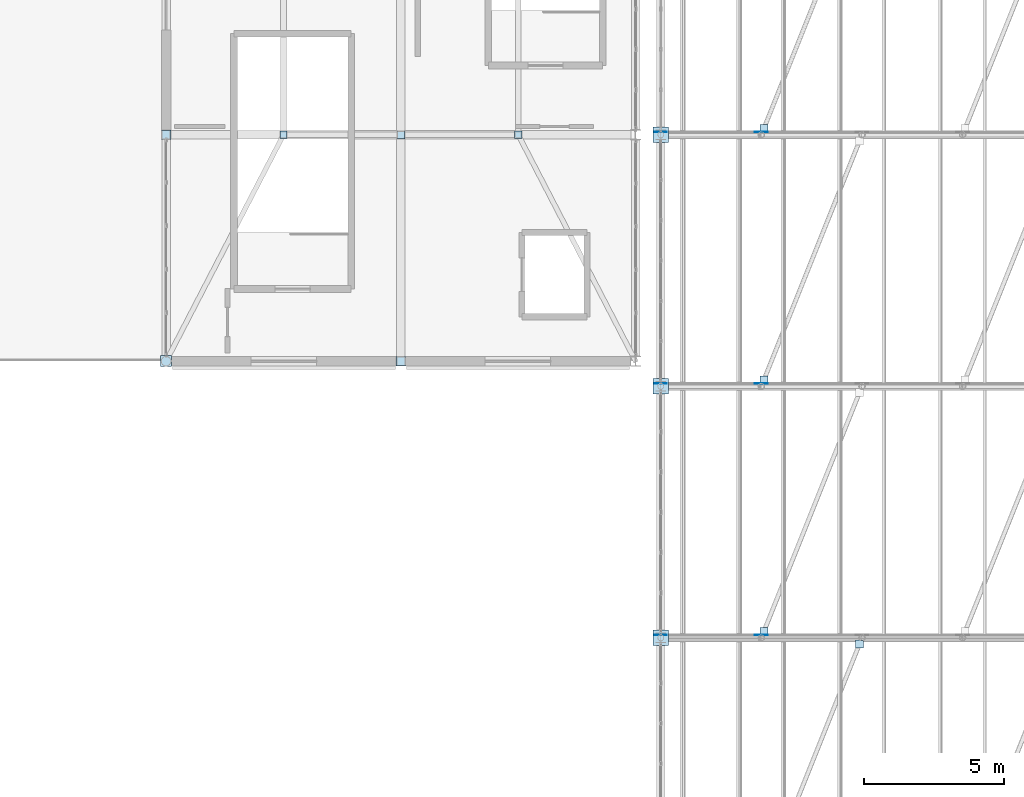
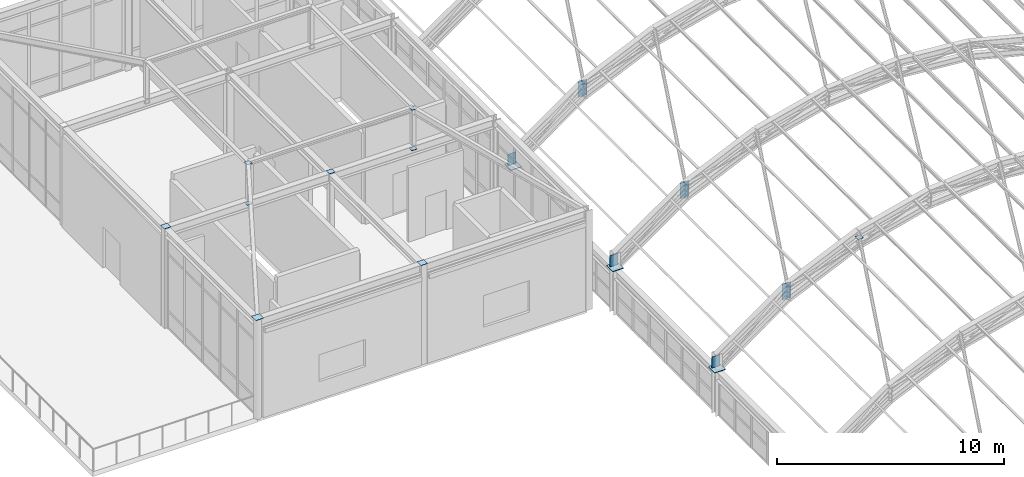
# One storey, part 111 of 121: 21 plates.
"""IFC4 building model written with IfcOpenShell, lengths in metres."""

from ifc_helpers import new_model, si_unit, direction, frame, origin, origin_2d, place, context, subcontext, project, spatial, rectangle, extrude, material, layer, layer_set, type_object, element, save


model = new_model("IFC4")

# Units and contexts
model_context = context("Model", 3, precision=1e-05, world=origin(), true_north=direction((0.0, 1.0)))
body_context = subcontext(model_context, "Body", "Model", "MODEL_VIEW")
ifc_project = project(units=[si_unit("LENGTHUNIT", "METRE"), si_unit("AREAUNIT", "SQUARE_METRE"), si_unit("VOLUMEUNIT", "CUBIC_METRE"), si_unit("PLANEANGLEUNIT", "RADIAN"), si_unit("MASSUNIT", "GRAM", prefix="KILO")], contexts=[model_context])

# Site, building, storey
site_placement = place(None, origin())
site = spatial("IfcSite", under=ifc_project, at=site_placement, CompositionType="ELEMENT")
building_placement = place(site_placement, origin())
building = spatial("IfcBuilding", under=site, at=building_placement, Name="Canglan Escarpment Cableway Terminal", CompositionType="ELEMENT")
storey_placement = place(building_placement, frame((0.0, 0.0, 24.60009765625)))
storey = spatial("IfcBuildingStorey", under=building, at=storey_placement, Name="L05", CompositionType="ELEMENT", Elevation=24.60009765625)

# Plates
ifc_material = material(Name="Steel Q355B", Category="steel")
ifc_layer_1 = layer(ifc_material, 0.031982421875, Name="Steel Q355B")
ifc_layer_set_1 = layer_set([ifc_layer_1], Name="Steel Q355B")
plate_type_1 = type_object("IfcPlateType", Name="PLT-BASE-32", PredefinedType="USERDEFINED", material=ifc_layer_set_1)
for number, where, z_axis, x_axis, name in (
    (1, (137.60009765625, 79.0, 2.4326171875), (0.0, 0.0, 1.0), (1.0, 0.0, 0.0), "Arch springing base plate BP-01"),
    (2, (137.60009765625, 88.0, 2.4326171875), (0.0, 0.0, 1.0), (1.0, 0.0, 0.0), "Arch springing base plate BP-01"),
    (3, (137.60009765625, 97.0, 2.4326171875), (0.0, 0.0, 1.0), (1.0, 0.0, 0.0), "Arch springing base plate BP-01"),
):
    element("IfcPlate", number, at=place(storey_placement, frame(where, z_axis=z_axis, x_axis=x_axis)), inside=storey, type_object=plate_type_1, Name=name, ObjectType="BASE PLATE", PredefinedType="USERDEFINED", context=body_context, shape_type="SweptSolid", body=[
        extrude(rectangle(XDim=0.56005859375, YDim=0.56005859375, at=origin_2d()), origin(), (0.0, 0.0, 1.0), 0.031982421875),
    ])
ifc_layer_2 = layer(ifc_material, 0.01611328125, Name="Steel Q355B")
ifc_layer_set_2 = layer_set([ifc_layer_2], Name="Steel Q355B")
plate_type_2 = type_object("IfcPlateType", Name="PLT-CAP-16", PredefinedType="SHEET", material=ifc_layer_set_2)
plate_1_placement = place(storey_placement, frame((119.89990234375, 88.89990234375, 5.375732421875), z_axis=(0.0, 0.0, 1.0), x_axis=(1.0, 0.0, 0.0)))
element("IfcPlate", 4, at=plate_1_placement, inside=storey, type_object=plate_type_2, Name="Welded hollow column end cap plate CP-01", PredefinedType="SHEET", context=body_context, shape_type="SweptSolid", body=[
    extrude(rectangle(XDim=0.39599609375, YDim=0.39599609375, at=origin_2d()), origin(), (0.0, 0.0, 1.0), 0.01611328125),
])
for number, where, z_axis, x_axis, name in (
    (5, (119.89990234375, 97.0, 5.375732421875), (0.0, 0.0, 1.0), (1.0, 0.0, 0.0), "Welded hollow column end cap plate CP-01"),
    (6, (128.300048828125, 88.89990234375, 5.375732421875), (0.0, 0.0, 1.0), (1.0, 0.0, 0.0), "Welded hollow column end cap plate CP-01"),
):
    element("IfcPlate", number, at=place(storey_placement, frame(where, z_axis=z_axis, x_axis=x_axis)), inside=storey, type_object=plate_type_2, Name=name, PredefinedType="SHEET", context=body_context, shape_type="SweptSolid", body=[
        extrude(rectangle(XDim=0.340087890625, YDim=0.340087890625, at=origin_2d()), origin(), (0.0, 0.0, 1.0), 0.01611328125),
    ])
plate_2_placement = place(storey_placement, frame((128.300048828125, 97.0, 5.375732421875), z_axis=(0.0, 0.0, 1.0), x_axis=(1.0, 0.0, 0.0)))
element("IfcPlate", 7, at=plate_2_placement, inside=storey, type_object=plate_type_2, Name="Welded hollow column end cap plate CP-01", PredefinedType="SHEET", context=body_context, shape_type="SweptSolid", body=[
    extrude(rectangle(XDim=0.2900390625, YDim=0.2900390625, at=origin_2d()), origin(), (0.0, 0.0, 1.0), 0.01611328125),
])
ifc_layer_3 = layer(ifc_material, 0.01611328125, Name="Steel Q355B")
ifc_layer_set_3 = layer_set([ifc_layer_3], Name="Steel Q355B")
plate_type_3 = type_object("IfcPlateType", Name="PLT-GUSSET-16", PredefinedType="USERDEFINED", material=ifc_layer_set_3)
for number, where, z_axis, x_axis, name in (
    (8, (144.7109375, 78.777099609375, 7.140380859375), (0.0, 0.0, 1.0), (1.0, 0.0, 0.0), "Roof wind brace end gusset plate GP-03"),
    (9, (141.2890625, 79.222900390625, 5.5185546875), (0.0, 0.0, 1.0), (1.0, 0.0, 0.0), "Roof wind brace end gusset plate GP-03"),
    (10, (141.2890625, 88.222900390625, 5.5185546875), (0.0, 0.0, 1.0), (1.0, 0.0, 0.0), "Roof wind brace end gusset plate GP-03"),
    (11, (141.2890625, 97.222900390625, 5.5185546875), (0.0, 0.0, 1.0), (1.0, 0.0, 0.0), "Roof wind brace end gusset plate GP-03"),
):
    element("IfcPlate", number, at=place(storey_placement, frame(where, z_axis=z_axis, x_axis=x_axis)), inside=storey, type_object=plate_type_3, Name=name, ObjectType="GUSSET PLATE", PredefinedType="USERDEFINED", context=body_context, shape_type="SweptSolid", body=[
        extrude(rectangle(XDim=0.280029296875, YDim=0.280029296875, at=origin_2d()), origin(), (0.0, 0.0, 1.0), 0.01611328125),
    ])
for number, where, z_axis, x_axis, name in (
    (12, (124.10009765625, 97.0, 5.139892578125), (0.0, 0.0, 1.0), (1.0, 0.0, 0.0), "Lantern post end connection plate GP-03"),
    (13, (124.10009765625, 97.0, 7.32373046875), (0.0, 0.0, 1.0), (1.0, 0.0, 0.0), "Lantern post end connection plate GP-03"),
    (14, (132.5, 97.0, 5.139892578125), (0.0, 0.0, 1.0), (1.0, 0.0, 0.0), "Lantern post end connection plate GP-03"),
    (15, (132.5, 97.0, 7.32373046875), (0.0, 0.0, 1.0), (1.0, 0.0, 0.0), "Lantern post end connection plate GP-03"),
):
    element("IfcPlate", number, at=place(storey_placement, frame(where, z_axis=z_axis, x_axis=x_axis)), inside=storey, type_object=plate_type_3, Name=name, ObjectType="GUSSET PLATE", PredefinedType="USERDEFINED", context=body_context, shape_type="SweptSolid", body=[
        extrude(rectangle(XDim=0.260009765625, YDim=0.260009765625, at=origin_2d()), origin(), (0.0, 0.0, 1.0), 0.01611328125),
    ])
ifc_layer_4 = layer(ifc_material, 0.02392578125, Name="Steel Q355B")
ifc_layer_set_4 = layer_set([ifc_layer_4], Name="Steel Q355B")
plate_type_4 = type_object("IfcPlateType", Name="PLT-GUSSET-24", PredefinedType="USERDEFINED", material=ifc_layer_set_4)
plate_3_placement = place(storey_placement, frame((141.199951171875, 79.10498046875, 4.87646484375), z_axis=(0.0, 0.0, 1.0), x_axis=(1.0, 0.0, 0.0)))
element("IfcPlate", 16, at=plate_3_placement, inside=storey, type_object=plate_type_4, Name="Arch-truss node gusset plate GP-01", ObjectType="GUSSET PLATE", PredefinedType="USERDEFINED", context=body_context, shape_type="SweptSolid", body=[
    extrude(rectangle(XDim=0.4599609375, YDim=0.02392578125, at=origin_2d()), origin(), (0.0, 0.0, 1.0), 0.830078125),
])
plate_4_placement = place(storey_placement, frame((137.60009765625, 79.10498046875, 2.4521484375), z_axis=(0.0, 0.0, 1.0), x_axis=(1.0, 0.0, 0.0)))
element("IfcPlate", 17, at=plate_4_placement, inside=storey, type_object=plate_type_4, Name="Arch-truss springing gusset plate GP-01", ObjectType="GUSSET PLATE", PredefinedType="USERDEFINED", context=body_context, shape_type="SweptSolid", body=[
    extrude(rectangle(XDim=0.419921875, YDim=0.02392578125, at=origin_2d()), origin(), (0.0, 0.0, 1.0), 0.610107421875),
])
plate_5_placement = place(storey_placement, frame((141.199951171875, 88.10498046875, 4.87646484375), z_axis=(0.0, 0.0, 1.0), x_axis=(1.0, 0.0, 0.0)))
element("IfcPlate", 18, at=plate_5_placement, inside=storey, type_object=plate_type_4, Name="Arch-truss node gusset plate GP-01", ObjectType="GUSSET PLATE", PredefinedType="USERDEFINED", context=body_context, shape_type="SweptSolid", body=[
    extrude(rectangle(XDim=0.4599609375, YDim=0.02392578125, at=origin_2d()), origin(), (0.0, 0.0, 1.0), 0.830078125),
])
plate_6_placement = place(storey_placement, frame((137.60009765625, 88.10498046875, 2.4521484375), z_axis=(0.0, 0.0, 1.0), x_axis=(1.0, 0.0, 0.0)))
element("IfcPlate", 19, at=plate_6_placement, inside=storey, type_object=plate_type_4, Name="Arch-truss springing gusset plate GP-01", ObjectType="GUSSET PLATE", PredefinedType="USERDEFINED", context=body_context, shape_type="SweptSolid", body=[
    extrude(rectangle(XDim=0.419921875, YDim=0.02392578125, at=origin_2d()), origin(), (0.0, 0.0, 1.0), 0.610107421875),
])
plate_7_placement = place(storey_placement, frame((141.199951171875, 97.10498046875, 4.87646484375), z_axis=(0.0, 0.0, 1.0), x_axis=(1.0, 0.0, 0.0)))
element("IfcPlate", 20, at=plate_7_placement, inside=storey, type_object=plate_type_4, Name="Arch-truss node gusset plate GP-01", ObjectType="GUSSET PLATE", PredefinedType="USERDEFINED", context=body_context, shape_type="SweptSolid", body=[
    extrude(rectangle(XDim=0.4599609375, YDim=0.02392578125, at=origin_2d()), origin(), (0.0, 0.0, 1.0), 0.830078125),
])
plate_8_placement = place(storey_placement, frame((137.60009765625, 97.10498046875, 2.4521484375), z_axis=(0.0, 0.0, 1.0), x_axis=(1.0, 0.0, 0.0)))
element("IfcPlate", 21, at=plate_8_placement, inside=storey, type_object=plate_type_4, Name="Arch-truss springing gusset plate GP-01", ObjectType="GUSSET PLATE", PredefinedType="USERDEFINED", context=body_context, shape_type="SweptSolid", body=[
    extrude(rectangle(XDim=0.419921875, YDim=0.02392578125, at=origin_2d()), origin(), (0.0, 0.0, 1.0), 0.610107421875),
])

save(model, "model.ifc")
